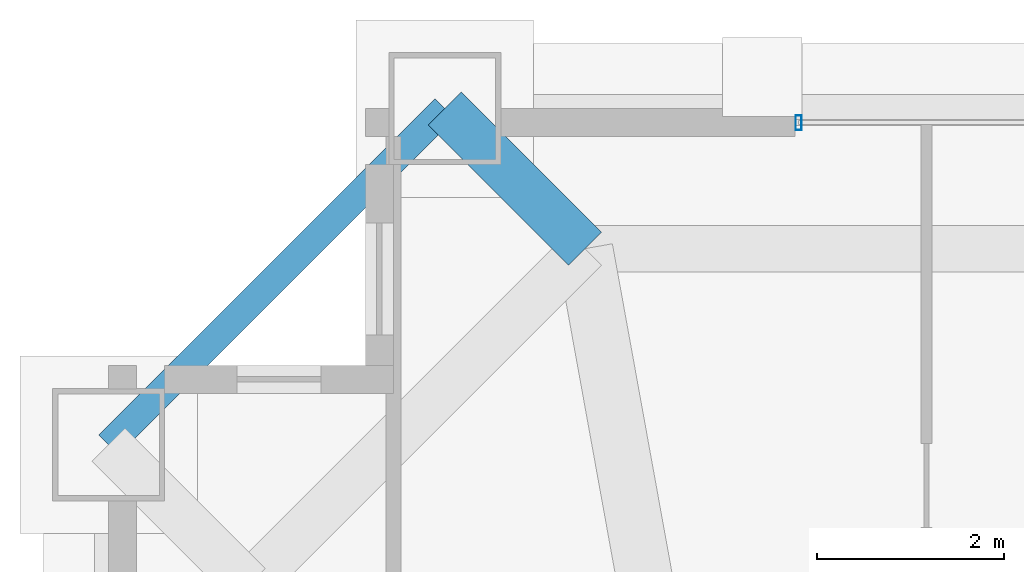
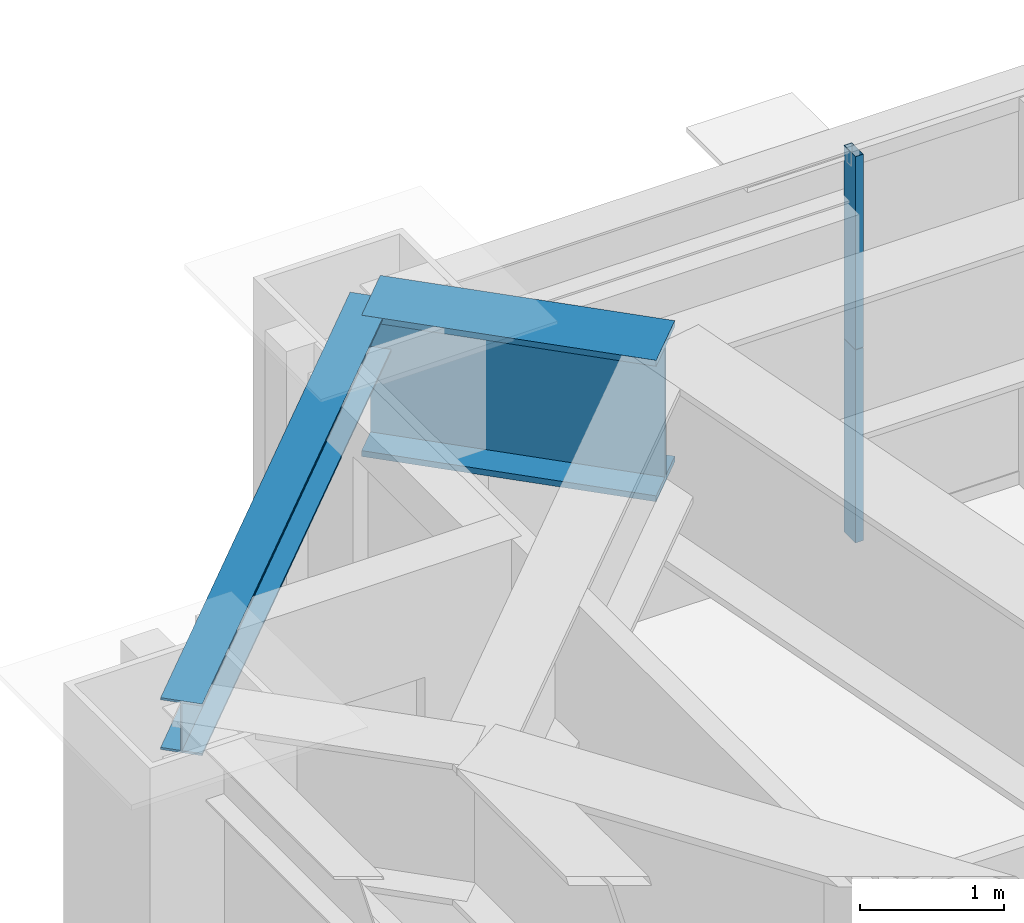
# One storey, part 21 of 33: 2 beams, 2 members, 1 element without a shape of its own.
"""IFC4 building model written with IfcOpenShell, lengths in metres."""

from ifc_helpers import new_model, si_unit, direction, frame, origin, origin_2d, place, context, subcontext, project, spatial, hollow_rectangle, i_section, extrude, source, transform, mapped, material, layer, layer_set, material_profile, profile_set, type_object, element, aggregate, save


model = new_model("IFC4")

# Units and contexts
model_context = context("Model", 3, precision=1e-05, world=origin(), true_north=direction((0.0, 1.0)))
body_context = subcontext(model_context, "Body", "Model", "MODEL_VIEW")
ifc_project = project(units=[si_unit("LENGTHUNIT", "METRE"), si_unit("AREAUNIT", "SQUARE_METRE"), si_unit("VOLUMEUNIT", "CUBIC_METRE"), si_unit("PLANEANGLEUNIT", "RADIAN"), si_unit("MASSUNIT", "GRAM", prefix="KILO"), si_unit("THERMODYNAMICTEMPERATUREUNIT", "KELVIN"), si_unit("POWERUNIT", "WATT")], contexts=[model_context])

# Site, building, storey
site_placement = place(None, origin())
site = spatial("IfcSite", under=ifc_project, at=site_placement, CompositionType="ELEMENT")
building_placement = place(site_placement, origin())
building = spatial("IfcBuilding", under=site, at=building_placement, Name="Yuzanri Waterfront Tower", CompositionType="ELEMENT")
storey_placement = place(building_placement, frame((0.0, 0.0, 282.10009765625)))
storey = spatial("IfcBuildingStorey", under=building, at=storey_placement, Name="L75", CompositionType="ELEMENT", Elevation=282.10009765625)

# Beams
ifc_material_1 = material(Name="Steel Q420GJC", Category="steel")
ifc_material_profile_1 = material_profile(ifc_material_1, i_section(OverallWidth=0.5, OverallDepth=1.199951171875, WebThickness=0.028076171875, FlangeThickness=0.050048828125, at=origin_2d()), Name="PG 1200x500x28x50")
ifc_profile_set_1 = profile_set([ifc_material_profile_1], Name="Steel Q420GJC")
beam_type_1 = type_object("IfcBeamType", Name="Setback Transfer Girder Q420GJC PG 1200x500", PredefinedType="USERDEFINED", material=ifc_profile_set_1)
shared_shape_1 = source(origin(), body_context, "Body", "SweptSolid", [
    extrude(i_section(OverallWidth=0.5, OverallDepth=1.199951171875, WebThickness=0.028076171875, FlangeThickness=0.050048828125, at=origin_2d()), origin(), (0.0, 0.0, 1.0), 2.121337890625),
])
beam_1_placement = place(storey_placement, frame((21.5, 44.89990234375, 2.679931640625), z_axis=(-0.707106781187, 0.707106781187, 0.0), x_axis=(-0.707106781187, -0.707106781187, 0.0)))
element("IfcBeam", 1, at=beam_1_placement, inside=storey, type_object=beam_type_1, Name="L75 Setback Step Transfer N1", ObjectType="GIRDER", PredefinedType="USERDEFINED", context=body_context, shape_type="MappedRepresentation", body=[
    mapped(shared_shape_1, transform((0.0, 0.0, 0.0), scale=1.0)),
])
ifc_material_2 = material(Name="Steel Q355B", Category="steel")
ifc_material_profile_2 = material_profile(ifc_material_2, i_section(OverallWidth=0.300048828125, OverallDepth=0.43994140625, WebThickness=0.010986328125, FlangeThickness=0.01806640625, at=origin_2d()), Name="HM 440x300x11x18")
ifc_profile_set_2 = profile_set([ifc_material_profile_2], Name="Steel Q355B")
beam_type_2 = type_object("IfcBeamType", Name="Perimeter Spandrel Q355B HM 440x300", PredefinedType="SPANDREL", material=ifc_profile_set_2)
shared_shape_2 = source(origin(), body_context, "Body", "SweptSolid", [
    extrude(i_section(OverallWidth=0.300048828125, OverallDepth=0.43994140625, WebThickness=0.010986328125, FlangeThickness=0.01806640625, at=origin_2d()), origin(), (0.0, 0.0, 1.0), 5.091064453125),
])
beam_2_placement = place(storey_placement, frame((20.0, 46.39990234375, 3.059814453125), z_axis=(-0.707130757816, -0.707082803744, 0.0), x_axis=(0.707082803744, -0.707130757816, 0.0)))
element("IfcBeam", 2, at=beam_2_placement, inside=storey, type_object=beam_type_2, Name="L75 Perimeter Spandrel N1-W3", PredefinedType="SPANDREL", context=body_context, shape_type="MappedRepresentation", body=[
    mapped(shared_shape_2, transform((0.0, 0.0, 0.0), scale=1.0)),
])

# Curtain wall, members
ifc_material_3 = material(Name="Anodized Architectural Bronze", Category="metal")
ifc_layer = layer(ifc_material_3, 0.159912109375)
ifc_layer_set = layer_set([ifc_layer], Name="Anodized Architectural Bronze")
curtain_wall_type = type_object("IfcCurtainWallType", Name="Anodized Bronze Mid-Rise Residential Acoustic Unitized Curtain Wall 7200", PredefinedType="NOTDEFINED", material=ifc_layer_set)
curtain_wall_placement = place(storey_placement, origin())
curtain_wall = element("IfcCurtainWall", 3, at=curtain_wall_placement, inside=storey, type_object=curtain_wall_type, Name="L75 Curtain Wall CW-L75-NL", PredefinedType="NOTDEFINED")
ifc_material_4 = material(Name="Anodized Architectural Bronze", Category="metal")
ifc_material_profile_3 = material_profile(ifc_material_4, hollow_rectangle(XDim=0.06494140625, YDim=0.159912109375, WallThickness=0.00341796875, at=origin_2d()), Name="CWM 65x160")
ifc_profile_set_3 = profile_set([ifc_material_profile_3], Name="Anodized Architectural Bronze")
member_type = type_object("IfcMemberType", Name="Anodized Bronze Upper-Zone Curtain-Wall Mullion 65x160", PredefinedType="MULLION", material=ifc_profile_set_3)
shared_shape_3 = source(origin(), body_context, "Body", "SweptSolid", [
    extrude(hollow_rectangle(XDim=0.06494140625, YDim=0.159912109375, WallThickness=0.00341796875, at=origin_2d()), origin(), (0.0, 0.0, 1.0), 1.637939453125),
])
member_1_placement = place(storey_placement, frame((23.7900390625, 46.25, 0.0), z_axis=(0.0, 0.0, 1.0), x_axis=(1.0, 0.0, 0.0)))
member_1 = element("IfcMember", 4, at=member_1_placement, type_object=member_type, Name="CW-L75-NL Lower Mullion 00", PredefinedType="MULLION", context=body_context, shape_type="MappedRepresentation", body=[
    mapped(shared_shape_3, transform((0.0, 0.0, 0.0), scale=1.0)),
])
member_2_placement = place(storey_placement, frame((23.7900390625, 46.25, 1.641845703125), z_axis=(0.0, 0.0, 1.0), x_axis=(1.0, 0.0, 0.0)))
member_2 = element("IfcMember", 5, at=member_2_placement, type_object=member_type, Name="CW-L75-NL Upper Mullion 00", PredefinedType="MULLION", context=body_context, shape_type="MappedRepresentation", body=[
    mapped(shared_shape_3, transform((0.0, 0.0, 0.0), scale=1.0)),
])
aggregate(curtain_wall, [member_1, member_2])

save(model, "model.ifc")
